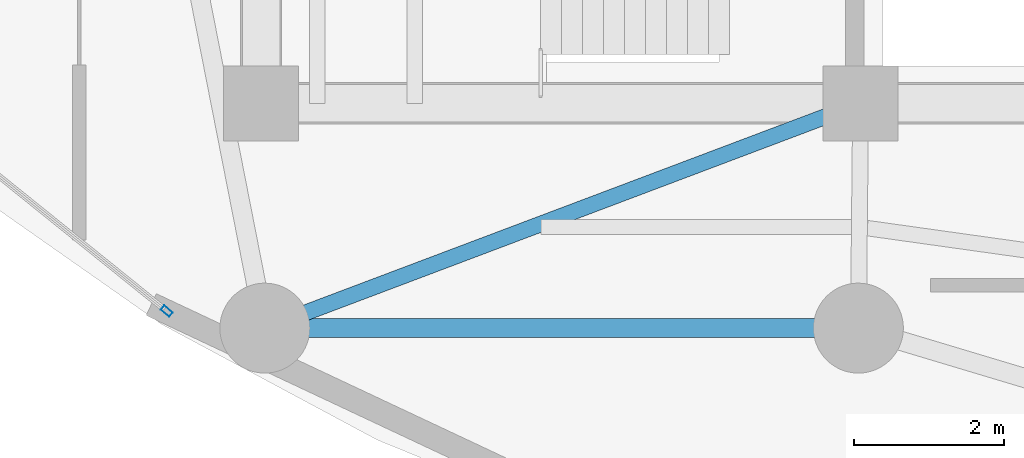
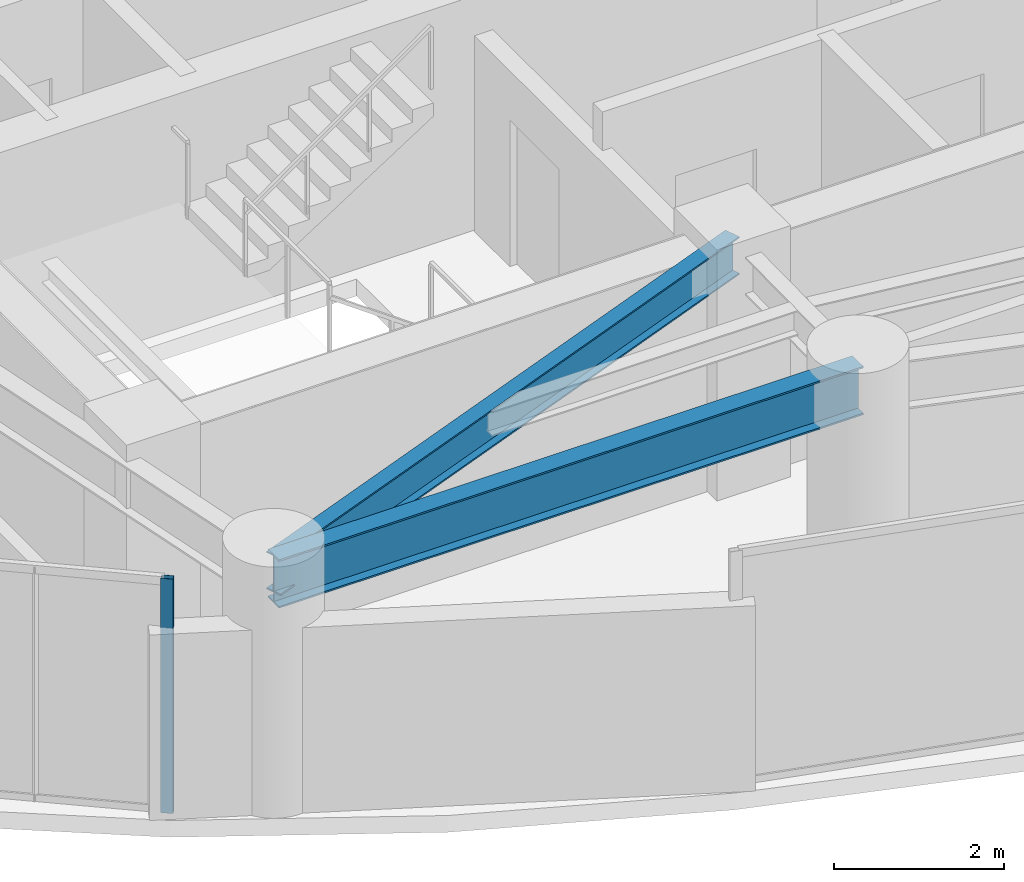
# One storey, part 2 of 33: 2 beams, 1 member, 1 element without a shape of its own.
"""IFC4 building model written with IfcOpenShell, lengths in metres."""

from ifc_helpers import new_model, si_unit, direction, frame, origin, origin_2d, place, context, subcontext, project, spatial, hollow_rectangle, i_section, extrude, material, layer, layer_set, material_profile, profile_set, type_object, element, aggregate, save


model = new_model("IFC4")

# Units and contexts
model_context = context("Model", 3, precision=1e-05, world=origin(), true_north=direction((0.0, 1.0)))
body_context = subcontext(model_context, "Body", "Model", "MODEL_VIEW")
ifc_project = project(units=[si_unit("LENGTHUNIT", "METRE"), si_unit("AREAUNIT", "SQUARE_METRE"), si_unit("VOLUMEUNIT", "CUBIC_METRE"), si_unit("PLANEANGLEUNIT", "RADIAN"), si_unit("MASSUNIT", "GRAM", prefix="KILO")], contexts=[model_context])

# Site, building, storey
site_placement = place(None, origin())
site = spatial("IfcSite", under=ifc_project, at=site_placement, CompositionType="ELEMENT")
building_placement = place(site_placement, origin())
building = spatial("IfcBuilding", under=site, at=building_placement, Name="Kazevale Care Tower and Concert Hall", CompositionType="ELEMENT")
storey_placement = place(building_placement, frame((0.0, 0.0, 145.800048828125)))
storey = spatial("IfcBuildingStorey", under=building, at=storey_placement, Name="L38", CompositionType="ELEMENT", Elevation=145.800048828125)

# Curtain wall, member
ifc_material_1 = material(Name="Aluminium 6063-T6 and Low-E Glass", Category="aluminium")
ifc_layer = layer(ifc_material_1, 0.179931640625)
ifc_layer_set = layer_set([ifc_layer], Name="Aluminium 6063-T6 and Low-E Glass")
curtain_wall_type = type_object("IfcCurtainWallType", Name="Sheltered Concave Balcony Curtain Wall CW-5", PredefinedType="NOTDEFINED", material=ifc_layer_set)
curtain_wall_placement = place(storey_placement, origin())
curtain_wall = element("IfcCurtainWall", 1, at=curtain_wall_placement, inside=storey, type_object=curtain_wall_type, Name="cw:L38:f10", PredefinedType="NOTDEFINED")
ifc_material_2 = material(Name="Aluminium 6063-T6", Category="aluminium")
ifc_material_profile_1 = material_profile(ifc_material_2, hollow_rectangle(XDim=0.074951171875, YDim=0.14990234375, WallThickness=0.00390625, at=origin_2d()), Name="ALU75x150x4")
ifc_profile_set_1 = profile_set([ifc_material_profile_1], Name="Aluminium 6063-T6")
member_type = type_object("IfcMemberType", Name="CW-5 Mullion ALU75x150x4", PredefinedType="MULLION", material=ifc_profile_set_1)
member_placement = place(storey_placement, frame((20.74072265625, 20.826416015625, 0.0), z_axis=(0.0, 0.0, 1.0), x_axis=(-0.626905357502, -0.779095419531, 0.0)))
member = element("IfcMember", 2, at=member_placement, type_object=member_type, Name="CW-5 mullion 1", PredefinedType="MULLION", context=body_context, shape_type="SweptSolid", body=[
    extrude(hollow_rectangle(XDim=0.074951171875, YDim=0.14990234375, WallThickness=0.00390625, at=origin_2d()), origin(), (0.0, 0.0, 1.0), 3.35986328125),
])
aggregate(curtain_wall, [member])

# Beams
ifc_material_3 = material(Name="Steel ASTM A572 Gr 50", Category="steel")
ifc_material_profile_2 = material_profile(ifc_material_3, i_section(OverallWidth=0.2119140625, OverallDepth=0.5439453125, WebThickness=0.01318359375, FlangeThickness=0.021240234375, at=origin_2d()), Name="W530x123")
ifc_profile_set_2 = profile_set([ifc_material_profile_2], Name="Steel ASTM A572 Gr 50")
beam_type_1 = type_object("IfcBeamType", Name="Radial Floor Girder W530x123", PredefinedType="BEAM", material=ifc_profile_set_2)
beam_1_placement = place(storey_placement, frame((30.0, 23.60009765625, 3.087890625), z_axis=(-0.935601002663, -0.353059150592, 0.0), x_axis=(0.353059150592, -0.935601002663, 0.0)))
element("IfcBeam", 3, at=beam_1_placement, inside=storey, type_object=beam_type_1, Name="beam:L38:rad:10", PredefinedType="BEAM", context=body_context, shape_type="SweptSolid", body=[
    extrude(i_section(OverallWidth=0.2119140625, OverallDepth=0.5439453125, WebThickness=0.01318359375, FlangeThickness=0.021240234375, at=origin_2d()), origin(), (0.0, 0.0, 1.0), 8.4970703125),
])
ifc_material_profile_3 = material_profile(ifc_material_3, i_section(OverallWidth=0.256103515625, OverallDepth=0.693115234375, WebThickness=0.014404296875, FlangeThickness=0.023681640625, at=origin_2d()), Name="W690x170")
ifc_profile_set_3 = profile_set([ifc_material_profile_3], Name="Steel ASTM A572 Gr 50")
beam_type_2 = type_object("IfcBeamType", Name="Waist Ring Beam W690x170", PredefinedType="BEAM", material=ifc_profile_set_3)
beam_2_placement = place(storey_placement, frame((22.050048828125, 20.60009765625, 3.013427734375), z_axis=(1.0, 0.0, 0.0), x_axis=(0.0, 1.0, 0.0)))
element("IfcBeam", 4, at=beam_2_placement, inside=storey, type_object=beam_type_2, Name="beam:L38:ring:10", PredefinedType="BEAM", context=body_context, shape_type="SweptSolid", body=[
    extrude(i_section(OverallWidth=0.256103515625, OverallDepth=0.693115234375, WebThickness=0.014404296875, FlangeThickness=0.023681640625, at=origin_2d()), origin(), (0.0, 0.0, 1.0), 7.919921875),
])

save(model, "model.ifc")
